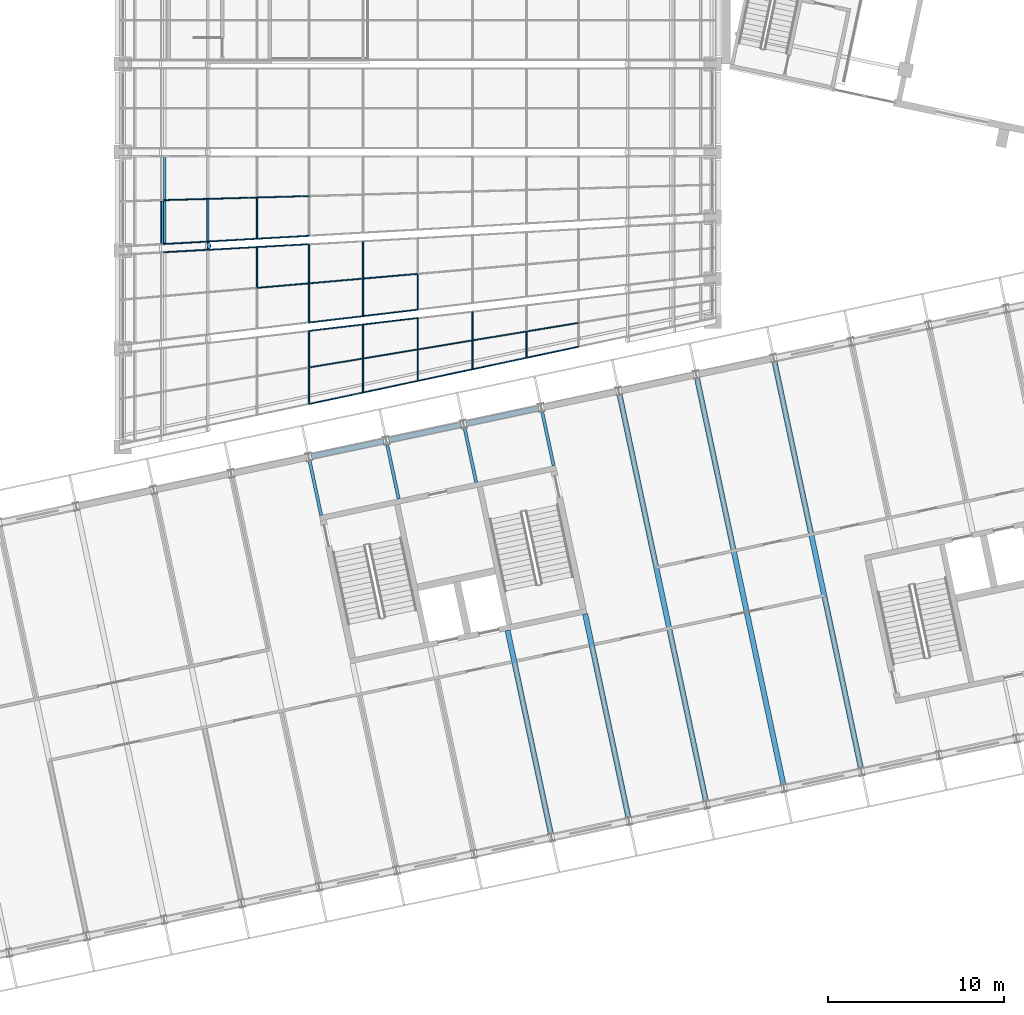
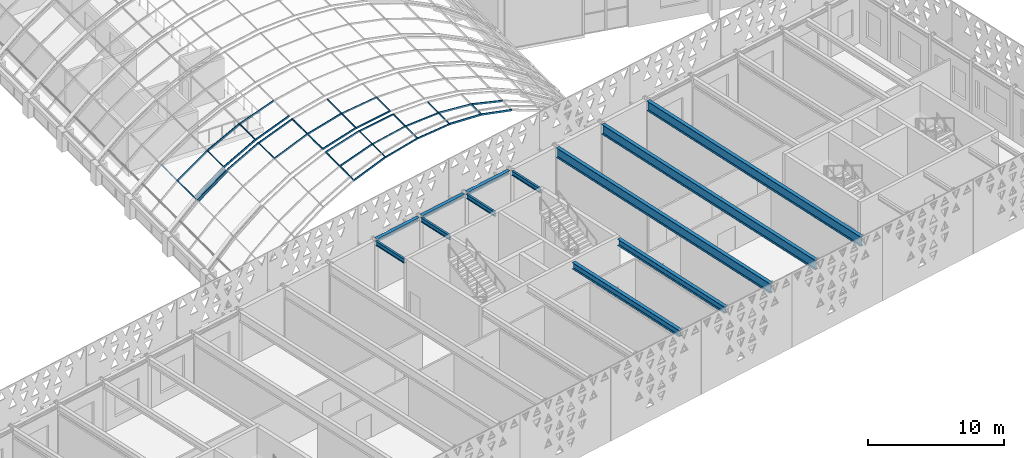
# One storey, part 32 of 182: 46 members, 12 beams, 3 elements without a shape of their own.
"""IFC4 building model written with IfcOpenShell, lengths in metres."""

from ifc_helpers import new_model, si_unit, direction, frame, origin, origin_2d, place, context, subcontext, project, spatial, rectangle, hollow_rectangle, hollow_circle, i_section, extrude, material, material_profile, profile_set, type_object, element, aggregate, save


model = new_model("IFC4")

# Units and contexts
model_context = context("Model", 3, precision=1e-05, world=origin(), true_north=direction((0.0, 1.0)))
body_context = subcontext(model_context, "Body", "Model", "MODEL_VIEW")
ifc_project = project(units=[si_unit("LENGTHUNIT", "METRE"), si_unit("AREAUNIT", "SQUARE_METRE"), si_unit("VOLUMEUNIT", "CUBIC_METRE"), si_unit("PLANEANGLEUNIT", "RADIAN"), si_unit("MASSUNIT", "GRAM", prefix="KILO")], contexts=[model_context])

# Site, building, storey
site_placement = place(None, origin())
site = spatial("IfcSite", under=ifc_project, at=site_placement, CompositionType="ELEMENT")
building_placement = place(site_placement, origin())
building = spatial("IfcBuilding", under=site, at=building_placement, Name="Okhra Congress Centre", CompositionType="ELEMENT")
storey_placement = place(building_placement, frame((0.0, 0.0, 7.199951171875)))
storey = spatial("IfcBuildingStorey", under=building, at=storey_placement, Name="L01", CompositionType="ELEMENT", Elevation=7.199951171875)

# Curtain wall, members
ifc_material_1 = material(Name="Aluminium frame with triple glazing", Category="aluminium")
curtain_wall_type = type_object("IfcCurtainWallType", Name="Glazed vault bay curtain wall", PredefinedType="NOTDEFINED", material=ifc_material_1)
curtain_wall_1_placement = place(storey_placement, origin())
curtain_wall_1 = element("IfcCurtainWall", 1, at=curtain_wall_1_placement, inside=storey, type_object=curtain_wall_type, Name="Vault glazing bay 1", PredefinedType="NOTDEFINED")
ifc_material_2 = material(Name="Aluminium alloy 6063", Category="aluminium")
ifc_material_profile_1 = material_profile(ifc_material_2, rectangle(XDim=0.06005859375, YDim=0.139892578125, at=origin_2d()), Name="AL 60x140")
ifc_profile_set_1 = profile_set([ifc_material_profile_1], Name="Aluminium alloy 6063")
member_type_1 = type_object("IfcMemberType", Name="Aluminium mullion 60x140", PredefinedType="MULLION", material=ifc_profile_set_1)
member_1_placement = place(storey_placement, frame((169.1337890625, 77.34130859375, 8.7392578125), z_axis=(0.97611397956, 0.207473928749, 0.064467571668), x_axis=(-0.207906415156, 0.978148722096, 0.0)))
member_1 = element("IfcMember", 2, at=member_1_placement, type_object=member_type_1, Name="Vault mullion 1.1.6", PredefinedType="MULLION", context=body_context, shape_type="SweptSolid", body=[
    extrude(rectangle(XDim=0.06005859375, YDim=0.139892578125, at=origin_2d()), origin(), (0.0, 0.0, 1.0), 3.1923828125),
])
member_2_placement = place(storey_placement, frame((172.25, 78.003662109375, 8.945068359375), z_axis=(0.9760984897, 0.207547109139, -0.064466548638), x_axis=(-0.207979734319, 0.978133135168, 0.0)))
member_2 = element("IfcMember", 3, at=member_2_placement, type_object=member_type_1, Name="Vault mullion 1.1.7", PredefinedType="MULLION", context=body_context, shape_type="SweptSolid", body=[
    extrude(rectangle(XDim=0.06005859375, YDim=0.139892578125, at=origin_2d()), origin(), (0.0, 0.0, 1.0), 3.192626953125),
])
member_3_placement = place(storey_placement, frame((169.1337890625, 79.276611328125, 8.7392578125), z_axis=(0.984485333362, 0.162975361125, 0.065020458792), x_axis=(-0.163320959528, 0.986572989788, 0.0)))
member_3 = element("IfcMember", 4, at=member_3_placement, type_object=member_type_1, Name="Vault mullion 1.2.6", PredefinedType="MULLION", context=body_context, shape_type="SweptSolid", body=[
    extrude(rectangle(XDim=0.06005859375, YDim=0.139892578125, at=origin_2d()), origin(), (0.0, 0.0, 1.0), 3.165283203125),
])
member_4_placement = place(storey_placement, frame((172.25, 79.79248046875, 8.945068359375), z_axis=(0.984497705908, 0.162900278508, -0.065021275939), x_axis=(-0.163245726405, 0.986585441211, 0.0)))
member_4 = element("IfcMember", 5, at=member_4_placement, type_object=member_type_1, Name="Vault mullion 1.2.7", PredefinedType="MULLION", context=body_context, shape_type="SweptSolid", body=[
    extrude(rectangle(XDim=0.06005859375, YDim=0.139892578125, at=origin_2d()), origin(), (0.0, 0.0, 1.0), 3.165283203125),
])
member_5_placement = place(storey_placement, frame((169.1337890625, 81.2119140625, 8.7392578125), z_axis=(0.990927819516, 0.117383489745, 0.065445953608), x_axis=(-0.117635687076, 0.99305681868, 0.0)))
member_5 = element("IfcMember", 6, at=member_5_placement, type_object=member_type_1, Name="Vault mullion 1.3.6", PredefinedType="MULLION", context=body_context, shape_type="SweptSolid", body=[
    extrude(rectangle(XDim=0.06005859375, YDim=0.139892578125, at=origin_2d()), origin(), (0.0, 0.0, 1.0), 3.144775390625),
])

curtain_wall_2_placement = place(storey_placement, origin())
curtain_wall_2 = element("IfcCurtainWall", 7, at=curtain_wall_2_placement, inside=storey, type_object=curtain_wall_type, Name="Vault glazing bay 2", PredefinedType="NOTDEFINED")
member_6_placement = place(storey_placement, frame((169.1337890625, 81.68115234375, 8.7392578125), z_axis=(0.990927819516, 0.117383489745, 0.065445953608), x_axis=(-0.117635687076, 0.99305681868, 0.0)))
member_6 = element("IfcMember", 8, at=member_6_placement, type_object=member_type_1, Name="Vault mullion 2.1.6", PredefinedType="MULLION", context=body_context, shape_type="SweptSolid", body=[
    extrude(rectangle(XDim=0.06005859375, YDim=0.139892578125, at=origin_2d()), origin(), (0.0, 0.0, 1.0), 3.144775390625),
])
member_7_placement = place(storey_placement, frame((169.1337890625, 83.815185546875, 8.7392578125), z_axis=(0.994056969622, 0.086835907327, 0.065652618724), x_axis=(-0.08702365743, 0.996206245236, 0.0)))
member_7 = element("IfcMember", 9, at=member_7_placement, type_object=member_type_1, Name="Vault mullion 2.2.6", PredefinedType="MULLION", context=body_context, shape_type="SweptSolid", body=[
    extrude(rectangle(XDim=0.06005859375, YDim=0.139892578125, at=origin_2d()), origin(), (0.0, 0.0, 1.0), 3.134765625),
])

# Member
ifc_material_profile_2 = material_profile(ifc_material_2, rectangle(XDim=0.06005859375, YDim=0.159912109375, at=origin_2d()), Name="AL 60x160")
ifc_profile_set_2 = profile_set([ifc_material_profile_2], Name="Aluminium alloy 6063")
member_type_2 = type_object("IfcMemberType", Name="Aluminium mullion 60x160", PredefinedType="MULLION", material=ifc_profile_set_2)
member_8_placement = place(storey_placement, frame((166.069091796875, 76.689697265625, 8.134765625), z_axis=(0.959863022352, 0.204012964665, 0.192462174389), x_axis=(-0.207899777226, 0.97815013297, 0.0)))
member_8 = element("IfcMember", 10, at=member_8_placement, type_object=member_type_2, Name="Vault mullion 1.1.5", PredefinedType="MULLION", context=body_context, shape_type="SweptSolid", body=[
    extrude(rectangle(XDim=0.06005859375, YDim=0.159912109375, at=origin_2d()), origin(), (0.0, 0.0, 1.0), 3.191650390625),
])

member_9_placement = place(storey_placement, frame((175.367431640625, 78.66650390625, 8.7490234375), z_axis=(0.959863022352, 0.204012964665, -0.192462174389), x_axis=(-0.207899777226, 0.97815013297, 0.0)))
member_9 = element("IfcMember", 11, at=member_9_placement, type_object=member_type_2, Name="Vault mullion 1.1.8", PredefinedType="MULLION", context=body_context, shape_type="SweptSolid", body=[
    extrude(rectangle(XDim=0.06005859375, YDim=0.159912109375, at=origin_2d()), origin(), (0.0, 0.0, 1.0), 3.191650390625),
])

member_10_placement = place(storey_placement, frame((178.430908203125, 79.317626953125, 8.134765625), z_axis=(0.927489680496, 0.197188274353, -0.31761561207), x_axis=(-0.207956346692, 0.978138107769, 0.0)))
member_10 = element("IfcMember", 12, at=member_10_placement, type_object=member_type_2, Name="Vault mullion 1.1.9", PredefinedType="MULLION", context=body_context, shape_type="SweptSolid", body=[
    extrude(rectangle(XDim=0.06005859375, YDim=0.159912109375, at=origin_2d()), origin(), (0.0, 0.0, 1.0), 3.18701171875),
])

member_11_placement = place(storey_placement, frame((166.069091796875, 78.769287109375, 8.134765625), z_axis=(0.967821328652, 0.160198031528, 0.194057894715), x_axis=(-0.163302397333, 0.986576062463, 0.0)))
member_11 = element("IfcMember", 13, at=member_11_placement, type_object=member_type_2, Name="Vault mullion 1.2.5", PredefinedType="MULLION", context=body_context, shape_type="SweptSolid", body=[
    extrude(rectangle(XDim=0.06005859375, YDim=0.159912109375, at=origin_2d()), origin(), (0.0, 0.0, 1.0), 3.165283203125),
])

member_12_placement = place(storey_placement, frame((175.367431640625, 80.308349609375, 8.7490234375), z_axis=(0.967821328652, 0.160198031528, -0.194057894715), x_axis=(-0.163302397333, 0.986576062463, 0.0)))
member_12 = element("IfcMember", 14, at=member_12_placement, type_object=member_type_2, Name="Vault mullion 1.2.8", PredefinedType="MULLION", context=body_context, shape_type="SweptSolid", body=[
    extrude(rectangle(XDim=0.06005859375, YDim=0.159912109375, at=origin_2d()), origin(), (0.0, 0.0, 1.0), 3.165283203125),
])

member_13_placement = place(storey_placement, frame((178.430908203125, 80.8154296875, 8.134765625), z_axis=(0.93467421029, 0.154711085935, -0.320075929286), x_axis=(-0.16330210025, 0.986576111638, 0.0)))
member_13 = element("IfcMember", 15, at=member_13_placement, type_object=member_type_2, Name="Vault mullion 1.2.9", PredefinedType="MULLION", context=body_context, shape_type="SweptSolid", body=[
    extrude(rectangle(XDim=0.06005859375, YDim=0.159912109375, at=origin_2d()), origin(), (0.0, 0.0, 1.0), 3.162353515625),
])

member_14_placement = place(storey_placement, frame((166.069091796875, 80.848876953125, 8.134765625), z_axis=(0.973940797831, 0.115339179597, 0.195284909734), x_axis=(-0.117603451244, 0.993060636747, 0.0)))
member_14 = element("IfcMember", 16, at=member_14_placement, type_object=member_type_2, Name="Vault mullion 1.3.5", PredefinedType="MULLION", context=body_context, shape_type="SweptSolid", body=[
    extrude(rectangle(XDim=0.06005859375, YDim=0.159912109375, at=origin_2d()), origin(), (0.0, 0.0, 1.0), 3.1455078125),
])

member_15_placement = place(storey_placement, frame((166.069091796875, 81.318115234375, 8.134765625), z_axis=(0.973940797831, 0.115339179597, 0.195284909734), x_axis=(-0.117603451244, 0.993060636747, 0.0)))
member_15 = element("IfcMember", 17, at=member_15_placement, type_object=member_type_2, Name="Vault mullion 2.1.5", PredefinedType="MULLION", context=body_context, shape_type="SweptSolid", body=[
    extrude(rectangle(XDim=0.06005859375, YDim=0.159912109375, at=origin_2d()), origin(), (0.0, 0.0, 1.0), 3.1455078125),
])

member_16_placement = place(storey_placement, frame((163.11328125, 83.2890625, 7.12255859375), z_axis=(0.942848354341, 0.082393124547, 0.322875136458), x_axis=(-0.087055690621, 0.996203446456, 0.0)))
member_16 = element("IfcMember", 18, at=member_16_placement, type_object=member_type_2, Name="Vault mullion 2.2.4", PredefinedType="MULLION", context=body_context, shape_type="SweptSolid", body=[
    extrude(rectangle(XDim=0.06005859375, YDim=0.159912109375, at=origin_2d()), origin(), (0.0, 0.0, 1.0), 3.135009765625),
])

member_17_placement = place(storey_placement, frame((166.069091796875, 83.54736328125, 8.134765625), z_axis=(0.976908504689, 0.085327679402, 0.195879964759), x_axis=(-0.087013311702, 0.996207148934, 0.0)))
member_17 = element("IfcMember", 19, at=member_17_placement, type_object=member_type_2, Name="Vault mullion 2.2.5", PredefinedType="MULLION", context=body_context, shape_type="SweptSolid", body=[
    extrude(rectangle(XDim=0.06005859375, YDim=0.159912109375, at=origin_2d()), origin(), (0.0, 0.0, 1.0), 3.135986328125),
])

member_18_placement = place(storey_placement, frame((163.11328125, 85.6103515625, 7.12255859375), z_axis=(0.944728367295, 0.053139507568, 0.323518940349), x_axis=(-0.056159679993, 0.998421799814, 0.0)))
member_18 = element("IfcMember", 20, at=member_18_placement, type_object=member_type_2, Name="Vault mullion 2.3.4", PredefinedType="MULLION", context=body_context, shape_type="SweptSolid", body=[
    extrude(rectangle(XDim=0.06005859375, YDim=0.159912109375, at=origin_2d()), origin(), (0.0, 0.0, 1.0), 3.128662109375),
])

# Curtain wall, members
curtain_wall_3_placement = place(storey_placement, origin())
curtain_wall_3 = element("IfcCurtainWall", 21, at=curtain_wall_3_placement, inside=storey, type_object=curtain_wall_type, Name="Vault glazing bay 3", PredefinedType="NOTDEFINED")
member_19_placement = place(storey_placement, frame((163.11328125, 86.077392578125, 7.12255859375), z_axis=(0.944728367295, 0.053139507568, 0.323518940349), x_axis=(-0.056159679993, 0.998421799814, 0.0)))
member_19 = element("IfcMember", 22, at=member_19_placement, type_object=member_type_2, Name="Vault mullion 3.1.4", PredefinedType="MULLION", context=body_context, shape_type="SweptSolid", body=[
    extrude(rectangle(XDim=0.06005859375, YDim=0.159912109375, at=origin_2d()), origin(), (0.0, 0.0, 1.0), 3.128662109375),
])
member_20_placement = place(storey_placement, frame((163.11328125, 88.422119140625, 7.12255859375), z_axis=(0.945729375007, 0.026636963482, 0.323861731955), x_axis=(-0.02815435891, 0.999603587466, 0.0)))
member_20 = element("IfcMember", 23, at=member_20_placement, type_object=member_type_2, Name="Vault mullion 3.2.4", PredefinedType="MULLION", context=body_context, shape_type="SweptSolid", body=[
    extrude(rectangle(XDim=0.06005859375, YDim=0.159912109375, at=origin_2d()), origin(), (0.0, 0.0, 1.0), 3.12548828125),
])

# Member
ifc_material_profile_3 = material_profile(ifc_material_2, rectangle(XDim=0.06005859375, YDim=0.179931640625, at=origin_2d()), Name="AL 60x180")
ifc_profile_set_3 = profile_set([ifc_material_profile_3], Name="Aluminium alloy 6063")
member_type_3 = type_object("IfcMemberType", Name="Aluminium mullion 60x180", PredefinedType="MULLION", material=ifc_profile_set_3)
member_21_placement = place(storey_placement, frame((157.720703125, 85.30712890625, 3.990478515625), z_axis=(0.827928159317, 0.046581199803, 0.558896372179), x_axis=(-0.056173532115, 0.998421020557, 0.0)))
member_21 = element("IfcMember", 24, at=member_21_placement, type_object=member_type_3, Name="Vault mullion 2.3.2", PredefinedType="MULLION", context=body_context, shape_type="SweptSolid", body=[
    extrude(rectangle(XDim=0.06005859375, YDim=0.179931640625, at=origin_2d()), origin(), (0.0, 0.0, 1.0), 3.12890625),
])

member_22_placement = place(storey_placement, frame((160.311279296875, 85.452880859375, 5.7392578125), z_axis=(0.894123049188, 0.050241274206, 0.444994142969), x_axis=(-0.056102061354, 0.998425039105, 0.0)))
member_22 = element("IfcMember", 25, at=member_22_placement, type_object=member_type_3, Name="Vault mullion 2.3.3", PredefinedType="MULLION", context=body_context, shape_type="SweptSolid", body=[
    extrude(rectangle(XDim=0.06005859375, YDim=0.179931640625, at=origin_2d()), origin(), (0.0, 0.0, 1.0), 3.12939453125),
])

member_23_placement = place(storey_placement, frame((157.720703125, 85.774169921875, 3.990478515625), z_axis=(0.827928159317, 0.046581199803, 0.558896372179), x_axis=(-0.056173532115, 0.998421020557, 0.0)))
member_23 = element("IfcMember", 26, at=member_23_placement, type_object=member_type_3, Name="Vault mullion 3.1.2", PredefinedType="MULLION", context=body_context, shape_type="SweptSolid", body=[
    extrude(rectangle(XDim=0.06005859375, YDim=0.179931640625, at=origin_2d()), origin(), (0.0, 0.0, 1.0), 3.12890625),
])

member_24_placement = place(storey_placement, frame((160.311279296875, 85.919921875, 5.7392578125), z_axis=(0.894123049188, 0.050241274206, 0.444994142969), x_axis=(-0.056102061354, 0.998425039105, 0.0)))
member_24 = element("IfcMember", 27, at=member_24_placement, type_object=member_type_3, Name="Vault mullion 3.1.3", PredefinedType="MULLION", context=body_context, shape_type="SweptSolid", body=[
    extrude(rectangle(XDim=0.06005859375, YDim=0.179931640625, at=origin_2d()), origin(), (0.0, 0.0, 1.0), 3.12939453125),
])

member_25_placement = place(storey_placement, frame((157.720703125, 88.2705078125, 3.990478515625), z_axis=(0.828603403129, 0.023270550762, 0.559352198342), x_axis=(-0.028072995099, 0.999605875806, 0.0)))
member_25 = element("IfcMember", 28, at=member_25_placement, type_object=member_type_3, Name="Vault mullion 3.2.2", PredefinedType="MULLION", context=body_context, shape_type="SweptSolid", body=[
    extrude(rectangle(XDim=0.06005859375, YDim=0.179931640625, at=origin_2d()), origin(), (0.0, 0.0, 1.0), 3.12646484375),
])

member_26_placement = place(storey_placement, frame((160.311279296875, 88.34326171875, 5.7392578125), z_axis=(0.894968842501, 0.025222488101, 0.445415083991), x_axis=(-0.028171346668, 0.999603108852, 0.0)))
member_26 = element("IfcMember", 29, at=member_26_placement, type_object=member_type_3, Name="Vault mullion 3.2.3", PredefinedType="MULLION", context=body_context, shape_type="SweptSolid", body=[
    extrude(rectangle(XDim=0.06005859375, YDim=0.179931640625, at=origin_2d()), origin(), (0.0, 0.0, 1.0), 3.12646484375),
])

ifc_material_profile_4 = material_profile(ifc_material_2, rectangle(XDim=0.06005859375, YDim=0.139892578125, at=origin_2d()), Name="AL 60x140 transom")
ifc_profile_set_4 = profile_set([ifc_material_profile_4], Name="Aluminium alloy 6063")
member_type_4 = type_object("IfcMemberType", Name="Aluminium transom 60x140", PredefinedType="USERDEFINED", material=ifc_profile_set_4)
member_27_placement = place(storey_placement, frame((169.1337890625, 77.37109375, 8.7392578125), z_axis=(0.0, 1.0, 0.0), x_axis=(-0.991307202734, 0.0, -0.131567586459)))
member_27 = element("IfcMember", 30, at=member_27_placement, type_object=member_type_4, Name="Vault transom 1.1.6", ObjectType="TRANSOM", PredefinedType="USERDEFINED", context=body_context, shape_type="SweptSolid", body=[
    extrude(rectangle(XDim=0.06005859375, YDim=0.139892578125, at=origin_2d()), origin(), (0.0, 0.0, 1.0), 1.87548828125),
])

member_28_placement = place(storey_placement, frame((172.25, 78.03369140625, 8.945068359375), z_axis=(0.0, 1.0, 0.0), x_axis=(-1.0, 0.0, 0.0)))
member_28 = element("IfcMember", 31, at=member_28_placement, type_object=member_type_4, Name="Vault transom 1.1.7", ObjectType="TRANSOM", PredefinedType="USERDEFINED", context=body_context, shape_type="SweptSolid", body=[
    extrude(rectangle(XDim=0.06005859375, YDim=0.139892578125, at=origin_2d()), origin(), (0.0, 0.0, 1.0), 1.728759765625),
])

member_29_placement = place(storey_placement, frame((175.3662109375, 78.6962890625, 8.7392578125), z_axis=(0.0, 1.0, 0.0), x_axis=(-0.991307202734, 0.0, 0.131567586459)))
member_29 = element("IfcMember", 32, at=member_29_placement, type_object=member_type_4, Name="Vault transom 1.1.8", ObjectType="TRANSOM", PredefinedType="USERDEFINED", context=body_context, shape_type="SweptSolid", body=[
    extrude(rectangle(XDim=0.06005859375, YDim=0.139892578125, at=origin_2d()), origin(), (0.0, 0.0, 1.0), 1.58203125),
])

member_30_placement = place(storey_placement, frame((169.1337890625, 79.306640625, 8.7392578125), z_axis=(0.0, 1.0, 0.0), x_axis=(-0.991307202734, 0.0, -0.131567586459)))
member_30 = element("IfcMember", 33, at=member_30_placement, type_object=member_type_4, Name="Vault transom 1.2.6", ObjectType="TRANSOM", PredefinedType="USERDEFINED", context=body_context, shape_type="SweptSolid", body=[
    extrude(rectangle(XDim=0.06005859375, YDim=0.139892578125, at=origin_2d()), origin(), (0.0, 0.0, 1.0), 1.875244140625),
])

member_31_placement = place(storey_placement, frame((172.25, 79.822265625, 8.945068359375), z_axis=(0.0, 1.0, 0.0), x_axis=(-1.0, 0.0, 0.0)))
member_31 = element("IfcMember", 34, at=member_31_placement, type_object=member_type_4, Name="Vault transom 1.2.7", ObjectType="TRANSOM", PredefinedType="USERDEFINED", context=body_context, shape_type="SweptSolid", body=[
    extrude(rectangle(XDim=0.06005859375, YDim=0.139892578125, at=origin_2d()), origin(), (0.0, 0.0, 1.0), 1.728759765625),
])

member_32_placement = place(storey_placement, frame((175.3662109375, 80.338134765625, 8.7392578125), z_axis=(0.0, 1.0, 0.0), x_axis=(-0.991307202734, 0.0, 0.131567586459)))
member_32 = element("IfcMember", 35, at=member_32_placement, type_object=member_type_4, Name="Vault transom 1.2.8", ObjectType="TRANSOM", PredefinedType="USERDEFINED", context=body_context, shape_type="SweptSolid", body=[
    extrude(rectangle(XDim=0.06005859375, YDim=0.139892578125, at=origin_2d()), origin(), (0.0, 0.0, 1.0), 1.58203125),
])

member_33_placement = place(storey_placement, frame((169.1337890625, 81.711181640625, 8.7392578125), z_axis=(0.0, 1.0, 0.0), x_axis=(-0.991307202734, 0.0, -0.131567586459)))
member_33 = element("IfcMember", 36, at=member_33_placement, type_object=member_type_4, Name="Vault transom 2.1.6", ObjectType="TRANSOM", PredefinedType="USERDEFINED", context=body_context, shape_type="SweptSolid", body=[
    extrude(rectangle(XDim=0.06005859375, YDim=0.139892578125, at=origin_2d()), origin(), (0.0, 0.0, 1.0), 2.073974609375),
])

member_34_placement = place(storey_placement, frame((172.25, 82.080322265625, 8.945068359375), z_axis=(0.0, 1.0, 0.0), x_axis=(-1.0, 0.0, 0.0)))
member_34 = element("IfcMember", 37, at=member_34_placement, type_object=member_type_4, Name="Vault transom 2.1.7", ObjectType="TRANSOM", PredefinedType="USERDEFINED", context=body_context, shape_type="SweptSolid", body=[
    extrude(rectangle(XDim=0.06005859375, YDim=0.139892578125, at=origin_2d()), origin(), (0.0, 0.0, 1.0), 1.97705078125),
])

member_35_placement = place(storey_placement, frame((169.1337890625, 83.84521484375, 8.7392578125), z_axis=(0.0, 1.0, 0.0), x_axis=(-0.991307202734, 0.0, -0.131567586459)))
member_35 = element("IfcMember", 38, at=member_35_placement, type_object=member_type_4, Name="Vault transom 2.2.6", ObjectType="TRANSOM", PredefinedType="USERDEFINED", context=body_context, shape_type="SweptSolid", body=[
    extrude(rectangle(XDim=0.06005859375, YDim=0.139892578125, at=origin_2d()), origin(), (0.0, 0.0, 1.0), 2.07373046875),
])

ifc_material_profile_5 = material_profile(ifc_material_2, rectangle(XDim=0.06005859375, YDim=0.159912109375, at=origin_2d()), Name="AL 60x160 transom")
ifc_profile_set_5 = profile_set([ifc_material_profile_5], Name="Aluminium alloy 6063")
member_type_5 = type_object("IfcMemberType", Name="Aluminium transom 60x160", PredefinedType="USERDEFINED", material=ifc_profile_set_5)
member_36_placement = place(storey_placement, frame((166.069091796875, 76.7197265625, 8.134765625), z_axis=(0.0, 1.0, 0.0), x_axis=(-0.965379940391, 0.0, -0.260847792191)))
member_36 = element("IfcMember", 39, at=member_36_placement, type_object=member_type_5, Name="Vault transom 1.1.5", ObjectType="TRANSOM", PredefinedType="USERDEFINED", context=body_context, shape_type="SweptSolid", body=[
    extrude(rectangle(XDim=0.06005859375, YDim=0.159912109375, at=origin_2d()), origin(), (0.0, 0.0, 1.0), 2.01953125),
])

member_37_placement = place(storey_placement, frame((178.430908203125, 79.34765625, 8.134765625), z_axis=(0.0, 1.0, 0.0), x_axis=(-0.965379940391, 0.0, 0.260847792191)))
member_37 = element("IfcMember", 40, at=member_37_placement, type_object=member_type_5, Name="Vault transom 1.1.9", ObjectType="TRANSOM", PredefinedType="USERDEFINED", context=body_context, shape_type="SweptSolid", body=[
    extrude(rectangle(XDim=0.06005859375, YDim=0.159912109375, at=origin_2d()), origin(), (0.0, 0.0, 1.0), 1.437744140625),
])

member_38_placement = place(storey_placement, frame((166.069091796875, 78.79931640625, 8.134765625), z_axis=(0.0, 1.0, 0.0), x_axis=(-0.965379940391, 0.0, -0.260847792191)))
member_38 = element("IfcMember", 41, at=member_38_placement, type_object=member_type_5, Name="Vault transom 1.2.5", ObjectType="TRANSOM", PredefinedType="USERDEFINED", context=body_context, shape_type="SweptSolid", body=[
    extrude(rectangle(XDim=0.06005859375, YDim=0.159912109375, at=origin_2d()), origin(), (0.0, 0.0, 1.0), 2.01953125),
])

aggregate(curtain_wall_1, [member_8, member_1, member_2, member_9, member_10, member_11, member_3, member_4, member_12, member_13, member_14, member_5, member_36, member_27, member_28, member_29, member_37, member_38, member_30, member_31, member_32])

member_39_placement = place(storey_placement, frame((166.069091796875, 81.34814453125, 8.134765625), z_axis=(0.0, 1.0, 0.0), x_axis=(-0.965379940391, 0.0, -0.260847792191)))
member_39 = element("IfcMember", 42, at=member_39_placement, type_object=member_type_5, Name="Vault transom 2.1.5", ObjectType="TRANSOM", PredefinedType="USERDEFINED", context=body_context, shape_type="SweptSolid", body=[
    extrude(rectangle(XDim=0.06005859375, YDim=0.159912109375, at=origin_2d()), origin(), (0.0, 0.0, 1.0), 2.169189453125),
])

member_40_placement = place(storey_placement, frame((163.11328125, 83.319091796875, 7.12255859375), z_axis=(0.0, 1.0, 0.0), x_axis=(-0.922668973833, 0.0, -0.38559300399)))
member_40 = element("IfcMember", 43, at=member_40_placement, type_object=member_type_5, Name="Vault transom 2.2.4", ObjectType="TRANSOM", PredefinedType="USERDEFINED", context=body_context, shape_type="SweptSolid", body=[
    extrude(rectangle(XDim=0.06005859375, YDim=0.159912109375, at=origin_2d()), origin(), (0.0, 0.0, 1.0), 2.26123046875),
])

member_41_placement = place(storey_placement, frame((166.069091796875, 83.577392578125, 8.134765625), z_axis=(0.0, 1.0, 0.0), x_axis=(-0.965379940391, 0.0, -0.260847792191)))
member_41 = element("IfcMember", 44, at=member_41_placement, type_object=member_type_5, Name="Vault transom 2.2.5", ObjectType="TRANSOM", PredefinedType="USERDEFINED", context=body_context, shape_type="SweptSolid", body=[
    extrude(rectangle(XDim=0.06005859375, YDim=0.159912109375, at=origin_2d()), origin(), (0.0, 0.0, 1.0), 2.169189453125),
])

aggregate(curtain_wall_2, [member_15, member_6, member_16, member_17, member_7, member_21, member_22, member_18, member_39, member_33, member_34, member_40, member_41, member_35])

member_42_placement = place(storey_placement, frame((163.11328125, 86.107421875, 7.12255859375), z_axis=(0.0, 1.0, 0.0), x_axis=(-0.922668973833, 0.0, -0.38559300399)))
member_42 = element("IfcMember", 45, at=member_42_placement, type_object=member_type_5, Name="Vault transom 3.1.4", ObjectType="TRANSOM", PredefinedType="USERDEFINED", context=body_context, shape_type="SweptSolid", body=[
    extrude(rectangle(XDim=0.06005859375, YDim=0.159912109375, at=origin_2d()), origin(), (0.0, 0.0, 1.0), 2.28466796875),
])

ifc_material_profile_6 = material_profile(ifc_material_2, rectangle(XDim=0.06005859375, YDim=0.179931640625, at=origin_2d()), Name="AL 60x180 transom")
ifc_profile_set_6 = profile_set([ifc_material_profile_6], Name="Aluminium alloy 6063")
member_type_6 = type_object("IfcMemberType", Name="Aluminium transom 60x180", PredefinedType="USERDEFINED", material=ifc_profile_set_6)
member_43_placement = place(storey_placement, frame((157.720703125, 85.80419921875, 3.990478515625), z_axis=(0.0, 1.0, 0.0), x_axis=(-0.790145035185, 0.0, -0.612919915954)))
member_43 = element("IfcMember", 46, at=member_43_placement, type_object=member_type_6, Name="Vault transom 3.1.2", ObjectType="TRANSOM", PredefinedType="USERDEFINED", context=body_context, shape_type="SweptSolid", body=[
    extrude(rectangle(XDim=0.06005859375, YDim=0.179931640625, at=origin_2d()), origin(), (0.0, 0.0, 1.0), 2.436279296875),
])

member_44_placement = place(storey_placement, frame((160.311279296875, 85.949951171875, 5.7392578125), z_axis=(0.0, 1.0, 0.0), x_axis=(-0.86391685861, 0.0, -0.503634452167)))
member_44 = element("IfcMember", 47, at=member_44_placement, type_object=member_type_6, Name="Vault transom 3.1.3", ObjectType="TRANSOM", PredefinedType="USERDEFINED", context=body_context, shape_type="SweptSolid", body=[
    extrude(rectangle(XDim=0.06005859375, YDim=0.179931640625, at=origin_2d()), origin(), (0.0, 0.0, 1.0), 2.36328125),
])

aggregate(curtain_wall_3, [member_23, member_24, member_19, member_25, member_26, member_20, member_43, member_44, member_42])

# Beams
ifc_material_3 = material(Name="Steel S355J2", Category="steel")
ifc_material_profile_7 = material_profile(ifc_material_3, i_section(OverallWidth=0.300048828125, OverallDepth=0.2900390625, WebThickness=0.008544921875, FlangeThickness=0.013916015625, FilletRadius=0.027099609375, at=origin_2d()), Name="HE 300 A")
ifc_profile_set_7 = profile_set([ifc_material_profile_7], Name="Steel S355J2")
beam_type_1 = type_object("IfcBeamType", Name="Edge beam HE 300 A", PredefinedType="BEAM", material=ifc_profile_set_7)
for number, where, z_axis, x_axis, name in (
    (48, (166.20947265625, 73.7060546875, 4.505126953125), (0.978143927149, 0.207928972925, 0.0), (-0.207928972925, 0.978143927149, 0.0), "Edge beam N26"),
    (49, (170.611083984375, 74.6416015625, 4.505126953125), (0.978143927149, 0.207928972925, 0.0), (-0.207928972925, 0.978143927149, 0.0), "Edge beam N27"),
):
    element("IfcBeam", number, at=place(storey_placement, frame(where, z_axis=z_axis, x_axis=x_axis)), inside=storey, type_object=beam_type_1, Name=name, PredefinedType="BEAM", context=body_context, shape_type="SweptSolid", body=[
        extrude(i_section(OverallWidth=0.300048828125, OverallDepth=0.2900390625, WebThickness=0.008544921875, FlangeThickness=0.013916015625, FilletRadius=0.027099609375, at=origin_2d()), origin(), (0.0, 0.0, 1.0), 4.199951171875),
    ])
beam_placement = place(storey_placement, frame((175.0126953125, 75.5771484375, 4.505126953125), z_axis=(0.978146440129, 0.207917150959, 0.0), x_axis=(-0.207917150959, 0.978146440129, 0.0)))
element("IfcBeam", 50, at=beam_placement, inside=storey, type_object=beam_type_1, Name="Edge beam N28", PredefinedType="BEAM", context=body_context, shape_type="SweptSolid", body=[
    extrude(i_section(OverallWidth=0.300048828125, OverallDepth=0.2900390625, WebThickness=0.008544921875, FlangeThickness=0.013916015625, FilletRadius=0.027099609375, at=origin_2d()), origin(), (0.0, 0.0, 1.0), 4.2001953125),
])
ifc_material_profile_8 = material_profile(ifc_material_3, i_section(OverallWidth=0.300048828125, OverallDepth=0.590087890625, WebThickness=0.012939453125, FlangeThickness=0.02490234375, FilletRadius=0.027099609375, at=origin_2d()), Name="HE 600 A")
ifc_profile_set_8 = profile_set([ifc_material_profile_8], Name="Steel S355J2")
beam_type_2 = type_object("IfcBeamType", Name="Floor beam HE 600 A", PredefinedType="BEAM", material=ifc_profile_set_8)
for number, where, z_axis, x_axis, name in (
    (51, (179.810302734375, 52.28564453125, 4.35498046875), (-0.207925785074, 0.978144604801, 0.0), (-0.978144604801, -0.207925785074, 0.0), "Floor beam 27.1"),
    (52, (184.2119140625, 53.22119140625, 4.35498046875), (-0.207905998145, 0.978148810731, 0.0), (-0.978148810731, -0.207905998145, 0.0), "Floor beam 28.1"),
):
    element("IfcBeam", number, at=place(storey_placement, frame(where, z_axis=z_axis, x_axis=x_axis)), inside=storey, type_object=beam_type_2, Name=name, PredefinedType="BEAM", context=body_context, shape_type="SweptSolid", body=[
        extrude(i_section(OverallWidth=0.300048828125, OverallDepth=0.590087890625, WebThickness=0.012939453125, FlangeThickness=0.02490234375, FilletRadius=0.027099609375, at=origin_2d()), origin(), (0.0, 0.0, 1.0), 11.80517578125),
    ])
ifc_material_profile_9 = material_profile(ifc_material_3, i_section(OverallWidth=0.300048828125, OverallDepth=0.889892578125, WebThickness=0.01611328125, FlangeThickness=0.030029296875, FilletRadius=0.030029296875, at=origin_2d()), Name="HE 900 A")
ifc_profile_set_9 = profile_set([ifc_material_profile_9], Name="Steel S355J2")
beam_type_3 = type_object("IfcBeamType", Name="Floor beam HE 900 A", PredefinedType="BEAM", material=ifc_profile_set_9)
for number, where, z_axis, x_axis, name in (
    (53, (188.613525390625, 54.156982421875, 4.205078125), (-0.207913162874, 0.978147287837, 0.0), (-0.978147287837, -0.207913162874, 0.0), "Floor beam 29.1"),
    (54, (193.01513671875, 55.092529296875, 4.205078125), (-0.207913162874, 0.978147287837, 0.0), (-0.978147287837, -0.207913162874, 0.0), "Floor beam 30.1"),
    (55, (197.416748046875, 56.028076171875, 4.205078125), (-0.207903248293, 0.97814939521, 0.0), (-0.97814939521, -0.207903248293, 0.0), "Floor beam 31.1"),
):
    element("IfcBeam", number, at=place(storey_placement, frame(where, z_axis=z_axis, x_axis=x_axis)), inside=storey, type_object=beam_type_3, Name=name, PredefinedType="BEAM", context=body_context, shape_type="SweptSolid", body=[
        extrude(i_section(OverallWidth=0.300048828125, OverallDepth=0.889892578125, WebThickness=0.01611328125, FlangeThickness=0.030029296875, FilletRadius=0.030029296875, at=origin_2d()), origin(), (0.0, 0.0, 1.0), 23.56005859375),
    ])
ifc_material_profile_10 = material_profile(ifc_material_3, i_section(OverallWidth=0.179931640625, OverallDepth=0.39990234375, WebThickness=0.008544921875, FlangeThickness=0.013427734375, FilletRadius=0.02099609375, at=origin_2d()), Name="IPE 400")
ifc_profile_set_10 = profile_set([ifc_material_profile_10], Name="Steel S355J2")
beam_type_4 = type_object("IfcBeamType", Name="Floor beam stub IPE 400", PredefinedType="BEAM", material=ifc_profile_set_10)
for number, where, z_axis, x_axis, name in (
    (56, (166.764404296875, 70.37353515625, 4.449951171875), (-0.207917058571, 0.978146459767, 0.0), (-0.978146459767, -0.207917058571, 0.0), "Floor beam 25.2"),
    (57, (171.166015625, 71.30908203125, 4.449951171875), (-0.207917058571, 0.978146459767, 0.0), (-0.978146459767, -0.207917058571, 0.0), "Floor beam 26.2"),
):
    element("IfcBeam", number, at=place(storey_placement, frame(where, z_axis=z_axis, x_axis=x_axis)), inside=storey, type_object=beam_type_4, Name=name, PredefinedType="BEAM", context=body_context, shape_type="SweptSolid", body=[
        extrude(i_section(OverallWidth=0.179931640625, OverallDepth=0.39990234375, WebThickness=0.008544921875, FlangeThickness=0.013427734375, FilletRadius=0.02099609375, at=origin_2d()), origin(), (0.0, 0.0, 1.0), 3.155029296875),
    ])
for number, where, z_axis, x_axis, name in (
    (58, (175.567626953125, 72.244873046875, 4.449951171875), (-0.20785875582, 0.978158850918, 0.0), (-0.978158850918, -0.20785875582, 0.0), "Floor beam 27.2"),
    (59, (179.969482421875, 73.180419921875, 4.449951171875), (-0.207932796537, 0.978143114337, 0.0), (-0.978143114337, -0.207932796537, 0.0), "Floor beam 28.2"),
):
    element("IfcBeam", number, at=place(storey_placement, frame(where, z_axis=z_axis, x_axis=x_axis)), inside=storey, type_object=beam_type_4, Name=name, PredefinedType="BEAM", context=body_context, shape_type="SweptSolid", body=[
        extrude(i_section(OverallWidth=0.179931640625, OverallDepth=0.39990234375, WebThickness=0.008544921875, FlangeThickness=0.013427734375, FilletRadius=0.02099609375, at=origin_2d()), origin(), (0.0, 0.0, 1.0), 3.15478515625),
    ])

# Members
ifc_material_profile_11 = material_profile(ifc_material_3, hollow_rectangle(XDim=0.10009765625, YDim=0.199951171875, WallThickness=0.008056640625, at=origin_2d()), Name="RHS 200x100x8")
ifc_profile_set_11 = profile_set([ifc_material_profile_11], Name="Steel S355J2")
member_type_7 = type_object("IfcMemberType", Name="Steel purlin RHS 200x100x8", PredefinedType="PURLIN", material=ifc_profile_set_11)
member_45_placement = place(storey_placement, frame((157.837158203125, 85.750732421875, 3.84033203125), z_axis=(0.0, 1.0, 0.0), x_axis=(-0.790145035185, 0.0, -0.612919915954)))
element("IfcMember", 60, at=member_45_placement, inside=storey, type_object=member_type_7, Name="Vault purlin 3.1", PredefinedType="PURLIN", context=body_context, shape_type="SweptSolid", body=[
    extrude(hollow_rectangle(XDim=0.10009765625, YDim=0.199951171875, WallThickness=0.008056640625, at=origin_2d()), origin(), (0.0, 0.0, 1.0), 5.046142578125),
])
ifc_material_profile_12 = material_profile(ifc_material_3, hollow_circle(Radius=0.203125, WallThickness=0.01611328125, at=origin_2d()), Name="CHS 406.4x16")
ifc_profile_set_12 = profile_set([ifc_material_profile_12], Name="Steel S355J2")
member_type_8 = type_object("IfcMemberType", Name="Tubular steel arch rib CHS 406x16", PredefinedType="USERDEFINED", material=ifc_profile_set_12)
member_46_placement = place(storey_placement, frame((157.8330078125, 85.546875, 3.86767578125), z_axis=(0.827924957186, 0.046607934402, 0.558898886847), x_axis=(-0.05620588697, 0.99841919967, 0.0)))
element("IfcMember", 61, at=member_46_placement, inside=storey, type_object=member_type_8, Name="Arch rib 3.2", ObjectType="Arch rib", PredefinedType="USERDEFINED", context=body_context, shape_type="SweptSolid", body=[
    extrude(hollow_circle(Radius=0.203125, WallThickness=0.01611328125, at=origin_2d()), origin(), (0.0, 0.0, 1.0), 3.080078125),
])

save(model, "model.ifc")
